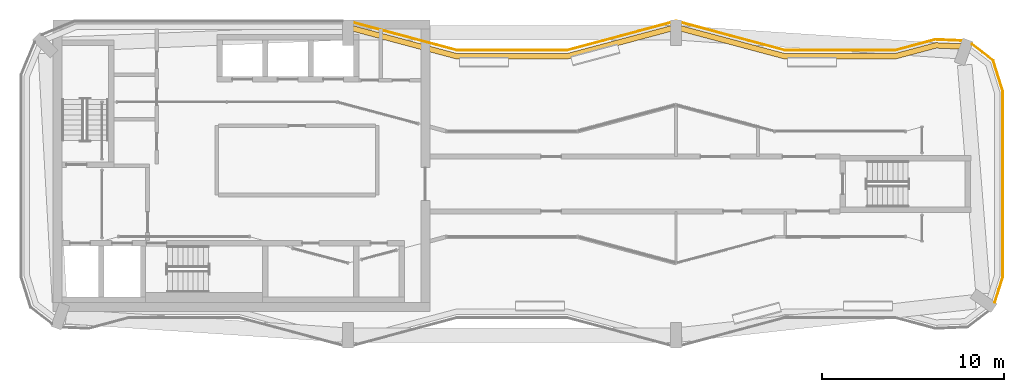
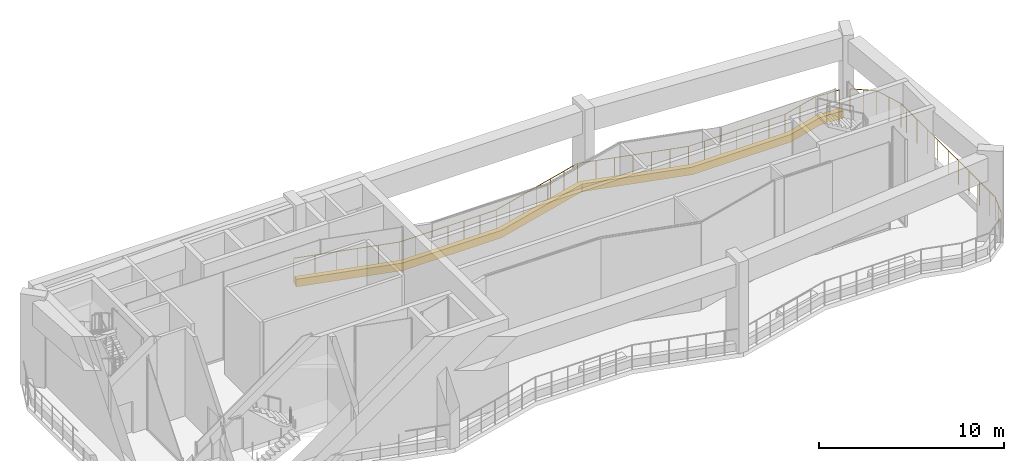
# One storey, part 12 of 12: 2 railings, 1 covering.
"""IFC4 building model written with IfcOpenShell, lengths in metres."""

from ifc_helpers import new_model, si_unit, direction, frame, origin, origin_2d, place, context, subcontext, project, spatial, polyline, circle, outline, extrude, material, type_object, element, save


model = new_model("IFC4")

# Units and contexts
model_context = context("Model", 3, precision=1e-05, world=origin(), true_north=direction((0.0, 1.0)))
body_context = subcontext(model_context, "Body", "Model", "MODEL_VIEW")
ifc_project = project(units=[si_unit("LENGTHUNIT", "METRE"), si_unit("AREAUNIT", "SQUARE_METRE"), si_unit("VOLUMEUNIT", "CUBIC_METRE"), si_unit("PLANEANGLEUNIT", "RADIAN"), si_unit("MASSUNIT", "GRAM", prefix="KILO")], contexts=[model_context])

# Site, building, storey
site_placement = place(None, origin())
site = spatial("IfcSite", under=ifc_project, at=site_placement, CompositionType="ELEMENT")
building_placement = place(site_placement, origin())
building = spatial("IfcBuilding", under=site, at=building_placement, Name="Plateau Cross Towers", CompositionType="ELEMENT")
storey_placement = place(building_placement, frame((0.0, 0.0, 236.39990234375)))
storey = spatial("IfcBuildingStorey", under=building, at=storey_placement, Name="L62", CompositionType="ELEMENT", Elevation=236.39990234375)

# Railings
ifc_material_1 = material(Name="Stainless steel and toughened glass", Category="steel")
railing_type = type_object("IfcRailingType", Name="Glass balustrade guard 1600", PredefinedType="GUARDRAIL", material=ifc_material_1)
railing_1_placement = place(storey_placement, frame((53.49609375, 2.5107421875, 0.0)))
element("IfcRailing", 1, at=railing_1_placement, inside=storey, type_object=railing_type, Name="Guard A535_22", PredefinedType="GUARDRAIL", context=body_context, shape_type="SweptSolid", body=[
    extrude(circle(Radius=0.02392578125, at=origin_2d()), frame((0.0, 0.0, 1.576171875), z_axis=(0.30070387127, 0.953717558716, 0.0), x_axis=(-0.953717558716, 0.30070387127, 0.0)), (0.0, 0.0, 1.0), 1.47607421875),
    extrude(circle(Radius=0.02392578125, at=origin_2d()), frame((0.44384765625, 1.40771484375, 1.576171875), z_axis=(0.0, 1.0, 0.0), x_axis=(-1.0, 0.0, 0.0)), (0.0, 0.0, 1.0), 10.1630859375),
    extrude(circle(Radius=0.02392578125, at=origin_2d()), frame((0.44384765625, 11.57080078125, 1.576171875), z_axis=(-0.300637904714, 0.953738355237, 0.0), x_axis=(-0.953738355237, -0.300637904714, 0.0)), (0.0, 0.0, 1.0), 1.776123046875),
    extrude(circle(Radius=0.02392578125, at=origin_2d()), frame((-0.090087890625, 13.2646484375, 1.576171875), z_axis=(-0.793378517032, 0.608728616636, 0.0), x_axis=(-0.608728616636, -0.793378517032, 0.0)), (0.0, 0.0, 1.0), 1.46630859375),
    extrude(circle(Radius=0.02099609375, at=origin_2d()), origin(), (0.0, 0.0, 1.0), 1.552001953125),
    extrude(circle(Radius=0.02099609375, at=origin_2d()), frame((0.221923828125, 0.703857421875, 0.0)), (0.0, 0.0, 1.0), 1.552001953125),
    extrude(circle(Radius=0.02099609375, at=origin_2d()), frame((0.44384765625, 1.40771484375, 0.0)), (0.0, 0.0, 1.0), 1.552001953125),
    extrude(circle(Radius=0.02099609375, at=origin_2d()), frame((0.44384765625, 1.9892578125, 0.0)), (0.0, 0.0, 1.0), 1.552001953125),
    extrude(circle(Radius=0.02099609375, at=origin_2d()), frame((0.44384765625, 3.1142578125, 0.0)), (0.0, 0.0, 1.0), 1.552001953125),
    extrude(circle(Radius=0.02099609375, at=origin_2d()), frame((0.44384765625, 4.2392578125, 0.0)), (0.0, 0.0, 1.0), 1.552001953125),
    extrude(circle(Radius=0.02099609375, at=origin_2d()), frame((0.44384765625, 5.3642578125, 0.0)), (0.0, 0.0, 1.0), 1.552001953125),
    extrude(circle(Radius=0.02099609375, at=origin_2d()), frame((0.44384765625, 6.4892578125, 0.0)), (0.0, 0.0, 1.0), 1.552001953125),
    extrude(circle(Radius=0.02099609375, at=origin_2d()), frame((0.44384765625, 7.6142578125, 0.0)), (0.0, 0.0, 1.0), 1.552001953125),
    extrude(circle(Radius=0.02099609375, at=origin_2d()), frame((0.44384765625, 8.7392578125, 0.0)), (0.0, 0.0, 1.0), 1.552001953125),
    extrude(circle(Radius=0.02099609375, at=origin_2d()), frame((0.44384765625, 9.8642578125, 0.0)), (0.0, 0.0, 1.0), 1.552001953125),
    extrude(circle(Radius=0.02099609375, at=origin_2d()), frame((0.44384765625, 10.9892578125, 0.0)), (0.0, 0.0, 1.0), 1.552001953125),
    extrude(circle(Radius=0.02099609375, at=origin_2d()), frame((0.44384765625, 11.57080078125, 0.0)), (0.0, 0.0, 1.0), 1.552001953125),
    extrude(circle(Radius=0.02099609375, at=origin_2d()), frame((0.1767578125, 12.417724609375, 0.0)), (0.0, 0.0, 1.0), 1.552001953125),
    extrude(circle(Radius=0.02099609375, at=origin_2d()), frame((-0.090087890625, 13.2646484375, 0.0)), (0.0, 0.0, 1.0), 1.552001953125),
    extrude(circle(Radius=0.02099609375, at=origin_2d()), frame((-0.671875, 13.7109375, 0.0)), (0.0, 0.0, 1.0), 1.552001953125),
    extrude(circle(Radius=0.02099609375, at=origin_2d()), frame((-1.25341796875, 14.1572265625, 0.0)), (0.0, 0.0, 1.0), 1.552001953125),
])
railing_2_placement = place(storey_placement, frame((51.705078125, 16.86376953125, 0.0)))
element("IfcRailing", 2, at=railing_2_placement, inside=storey, type_object=railing_type, Name="Guard A520_169", PredefinedType="GUARDRAIL", context=body_context, shape_type="SweptSolid", body=[
    extrude(circle(Radius=0.02392578125, at=origin_2d()), frame((0.0, 0.0, 1.576171875), z_axis=(-0.999038915809, 0.043832005412, 0.0), x_axis=(-0.043832005412, -0.999038915809, 0.0)), (0.0, 0.0, 1.0), 1.47607421875),
    extrude(circle(Radius=0.02392578125, at=origin_2d()), frame((-1.474609375, 0.064697265625, 1.576171875), z_axis=(-0.96593668607, -0.258778512448, 0.0), x_axis=(0.258778512448, -0.96593668607, 0.0)), (0.0, 0.0, 1.0), 2.301025390625),
    extrude(circle(Radius=0.02392578125, at=origin_2d()), frame((-3.697265625, -0.53076171875, 1.576171875), z_axis=(-1.0, 0.0, 0.0), x_axis=(0.0, -1.0, 0.0)), (0.0, 0.0, 1.0), 6.015625),
    extrude(circle(Radius=0.02392578125, at=origin_2d()), frame((-9.712890625, -0.53076171875, 1.576171875), z_axis=(-0.965950861745, 0.258725593428, 0.0), x_axis=(-0.258725593428, -0.965950861745, 0.0)), (0.0, 0.0, 1.0), 6.203369140625),
    extrude(circle(Radius=0.02392578125, at=origin_2d()), frame((-15.705078125, 1.07421875, 1.576171875), z_axis=(-0.965950861745, -0.258725593428, 0.0), x_axis=(0.258725593428, -0.965950861745, 0.0)), (0.0, 0.0, 1.0), 6.203369140625),
    extrude(circle(Radius=0.02392578125, at=origin_2d()), frame((-21.697265625, -0.53076171875, 1.576171875), z_axis=(-1.0, 0.0, 0.0), x_axis=(0.0, -1.0, 0.0)), (0.0, 0.0, 1.0), 6.015625),
    extrude(circle(Radius=0.02392578125, at=origin_2d()), frame((-27.712890625, -0.53076171875, 1.576171875), z_axis=(-0.965957451113, 0.258700990798, 0.0), x_axis=(-0.258700990798, -0.965957451113, 0.0)), (0.0, 0.0, 1.0), 5.911376953125),
    extrude(circle(Radius=0.02099609375, at=origin_2d()), origin(), (0.0, 0.0, 1.0), 1.552001953125),
    extrude(circle(Radius=0.02099609375, at=origin_2d()), frame((-0.7373046875, 0.0322265625, 0.0)), (0.0, 0.0, 1.0), 1.552001953125),
    extrude(circle(Radius=0.02099609375, at=origin_2d()), frame((-1.474609375, 0.064697265625, 0.0)), (0.0, 0.0, 1.0), 1.552001953125),
    extrude(circle(Radius=0.02099609375, at=origin_2d()), frame((-2.5859375, -0.23291015625, 0.0)), (0.0, 0.0, 1.0), 1.552001953125),
    extrude(circle(Radius=0.02099609375, at=origin_2d()), frame((-3.697265625, -0.53076171875, 0.0)), (0.0, 0.0, 1.0), 1.552001953125),
    extrude(circle(Radius=0.02099609375, at=origin_2d()), frame((-4.699951171875, -0.53076171875, 0.0)), (0.0, 0.0, 1.0), 1.552001953125),
    extrude(circle(Radius=0.02099609375, at=origin_2d()), frame((-5.702392578125, -0.53076171875, 0.0)), (0.0, 0.0, 1.0), 1.552001953125),
    extrude(circle(Radius=0.02099609375, at=origin_2d()), frame((-6.705078125, -0.53076171875, 0.0)), (0.0, 0.0, 1.0), 1.552001953125),
    extrude(circle(Radius=0.02099609375, at=origin_2d()), frame((-7.707763671875, -0.53076171875, 0.0)), (0.0, 0.0, 1.0), 1.552001953125),
    extrude(circle(Radius=0.02099609375, at=origin_2d()), frame((-8.710205078125, -0.53076171875, 0.0)), (0.0, 0.0, 1.0), 1.552001953125),
    extrude(circle(Radius=0.02099609375, at=origin_2d()), frame((-9.712890625, -0.53076171875, 0.0)), (0.0, 0.0, 1.0), 1.552001953125),
    extrude(circle(Radius=0.02099609375, at=origin_2d()), frame((-10.711669921875, -0.26318359375, 0.0)), (0.0, 0.0, 1.0), 1.552001953125),
    extrude(circle(Radius=0.02099609375, at=origin_2d()), frame((-11.710205078125, 0.004150390625, 0.0)), (0.0, 0.0, 1.0), 1.552001953125),
    extrude(circle(Radius=0.02099609375, at=origin_2d()), frame((-12.708984375, 0.271728515625, 0.0)), (0.0, 0.0, 1.0), 1.552001953125),
    extrude(circle(Radius=0.02099609375, at=origin_2d()), frame((-13.707763671875, 0.539306640625, 0.0)), (0.0, 0.0, 1.0), 1.552001953125),
    extrude(circle(Radius=0.02099609375, at=origin_2d()), frame((-14.706298828125, 0.806640625, 0.0)), (0.0, 0.0, 1.0), 1.552001953125),
    extrude(circle(Radius=0.02099609375, at=origin_2d()), frame((-15.705078125, 1.07421875, 0.0)), (0.0, 0.0, 1.0), 1.552001953125),
    extrude(circle(Radius=0.02099609375, at=origin_2d()), frame((-16.703857421875, 0.806640625, 0.0)), (0.0, 0.0, 1.0), 1.552001953125),
    extrude(circle(Radius=0.02099609375, at=origin_2d()), frame((-17.702392578125, 0.539306640625, 0.0)), (0.0, 0.0, 1.0), 1.552001953125),
    extrude(circle(Radius=0.02099609375, at=origin_2d()), frame((-18.701171875, 0.271728515625, 0.0)), (0.0, 0.0, 1.0), 1.552001953125),
    extrude(circle(Radius=0.02099609375, at=origin_2d()), frame((-19.699951171875, 0.004150390625, 0.0)), (0.0, 0.0, 1.0), 1.552001953125),
    extrude(circle(Radius=0.02099609375, at=origin_2d()), frame((-20.698486328125, -0.26318359375, 0.0)), (0.0, 0.0, 1.0), 1.552001953125),
    extrude(circle(Radius=0.02099609375, at=origin_2d()), frame((-21.697265625, -0.53076171875, 0.0)), (0.0, 0.0, 1.0), 1.552001953125),
    extrude(circle(Radius=0.02099609375, at=origin_2d()), frame((-22.699951171875, -0.53076171875, 0.0)), (0.0, 0.0, 1.0), 1.552001953125),
    extrude(circle(Radius=0.02099609375, at=origin_2d()), frame((-23.702392578125, -0.53076171875, 0.0)), (0.0, 0.0, 1.0), 1.552001953125),
    extrude(circle(Radius=0.02099609375, at=origin_2d()), frame((-24.705078125, -0.53076171875, 0.0)), (0.0, 0.0, 1.0), 1.552001953125),
    extrude(circle(Radius=0.02099609375, at=origin_2d()), frame((-25.707763671875, -0.53076171875, 0.0)), (0.0, 0.0, 1.0), 1.552001953125),
    extrude(circle(Radius=0.02099609375, at=origin_2d()), frame((-26.710205078125, -0.53076171875, 0.0)), (0.0, 0.0, 1.0), 1.552001953125),
    extrude(circle(Radius=0.02099609375, at=origin_2d()), frame((-27.712890625, -0.53076171875, 0.0)), (0.0, 0.0, 1.0), 1.552001953125),
    extrude(circle(Radius=0.02099609375, at=origin_2d()), frame((-28.85498046875, -0.224853515625, 0.0)), (0.0, 0.0, 1.0), 1.552001953125),
    extrude(circle(Radius=0.02099609375, at=origin_2d()), frame((-29.9970703125, 0.0810546875, 0.0)), (0.0, 0.0, 1.0), 1.552001953125),
    extrude(circle(Radius=0.02099609375, at=origin_2d()), frame((-31.138916015625, 0.38671875, 0.0)), (0.0, 0.0, 1.0), 1.552001953125),
    extrude(circle(Radius=0.02099609375, at=origin_2d()), frame((-32.281005859375, 0.692626953125, 0.0)), (0.0, 0.0, 1.0), 1.552001953125),
    extrude(circle(Radius=0.02099609375, at=origin_2d()), frame((-33.423095703125, 0.99853515625, 0.0)), (0.0, 0.0, 1.0), 1.552001953125),
])

# Covering
ifc_material_2 = material(Name="Light precast concrete cladding C40/50", Category="concrete")
covering_type = type_object("IfcCoveringType", Name="Sill kerb cladding 300x500", PredefinedType="CLADDING", material=ifc_material_2)
covering_placement = place(storey_placement, origin())
element("IfcCovering", 3, at=covering_placement, inside=storey, type_object=covering_type, Name="Sill kerb 2", PredefinedType="CLADDING", context=body_context, shape_type="SweptSolid", body=[
    extrude(outline(polyline([(50.2822265625, 16.45556640625), (48.126220703125, 15.878173828125), (48.089599609375, 15.8701171875), (48.048828125, 15.86474609375), (48.01123046875, 15.863037109375), (41.98876953125, 15.863037109375), (41.951171875, 15.86474609375), (41.910400390625, 15.8701171875), (41.873779296875, 15.878173828125), (36.0, 17.451416015625), (30.126220703125, 15.878173828125), (30.089599609375, 15.8701171875), (30.048828125, 15.86474609375), (30.01123046875, 15.863037109375), (23.98876953125, 15.863037109375), (23.951171875, 15.86474609375), (23.910400390625, 15.8701171875), (23.873779296875, 15.878173828125), (18.160400390625, 17.408447265625), (18.23779296875, 17.6982421875), (23.945068359375, 16.169677734375), (23.962646484375, 16.165771484375), (23.977294921875, 16.163818359375), (23.995361328125, 16.1630859375), (30.004638671875, 16.1630859375), (30.022705078125, 16.163818359375), (30.037353515625, 16.165771484375), (30.054931640625, 16.169677734375), (36.0, 17.761962890625), (41.945068359375, 16.169677734375), (41.962646484375, 16.165771484375), (41.977294921875, 16.163818359375), (41.995361328125, 16.1630859375), (48.004638671875, 16.1630859375), (48.022705078125, 16.163818359375), (48.037353515625, 16.165771484375), (48.054931640625, 16.169677734375), (50.249267578125, 16.75732421875), (51.697509765625, 16.694091796875), (51.6845703125, 16.394287109375), (50.2822265625, 16.45556640625)])), origin(), (0.0, 0.0, 1.0), 0.5),
])

save(model, "model.ifc")
